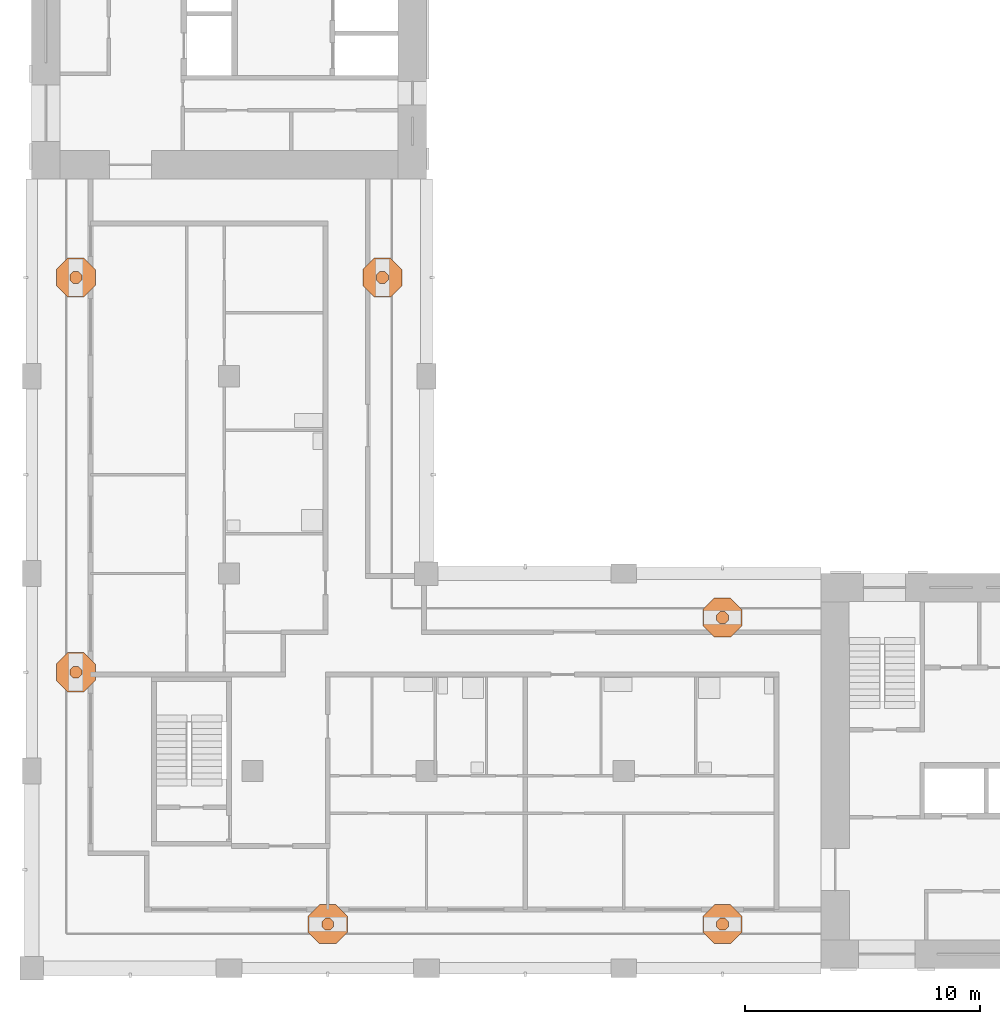
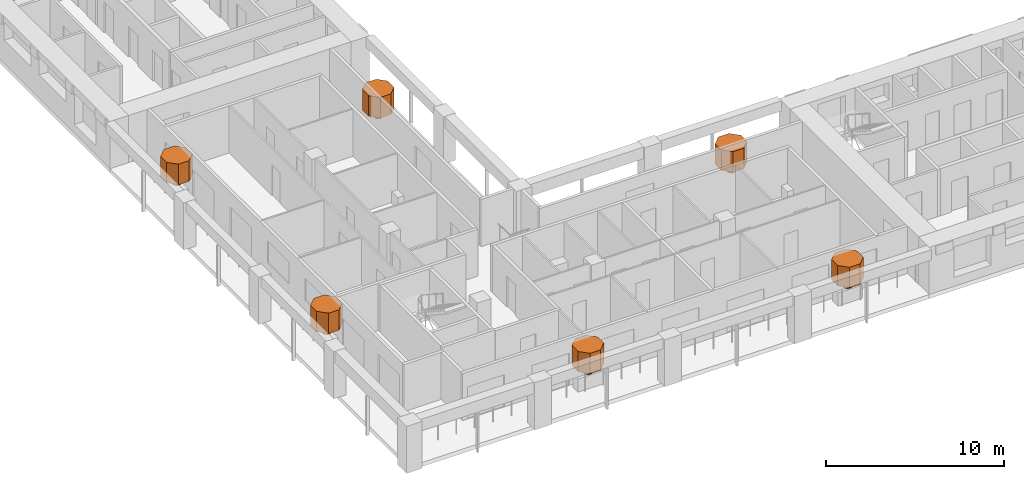
# One storey, part 11 of 11: 12 geographic elements.
"""IFC4 building model written with IfcOpenShell, lengths in metres."""

from ifc_helpers import new_model, si_unit, direction, frame, origin, place, context, subcontext, project, spatial, polyline, outline, extrude, material, element, save


model = new_model("IFC4")

# Units and contexts
model_context = context("Model", 3, precision=1e-05, world=origin(), true_north=direction((0.0, 1.0)))
body_context = subcontext(model_context, "Body", "Model", "MODEL_VIEW")
ifc_project = project(units=[si_unit("LENGTHUNIT", "METRE"), si_unit("AREAUNIT", "SQUARE_METRE"), si_unit("VOLUMEUNIT", "CUBIC_METRE"), si_unit("PLANEANGLEUNIT", "RADIAN"), si_unit("MASSUNIT", "GRAM", prefix="KILO")], contexts=[model_context])

# Site, building, storey
site_placement = place(None, origin())
site = spatial("IfcSite", under=ifc_project, at=site_placement, CompositionType="ELEMENT")
building_placement = place(site_placement, origin())
building = spatial("IfcBuilding", under=site, at=building_placement, Name="Vermilion Gate Residences", CompositionType="ELEMENT")
storey_placement = place(building_placement, frame((0.0, 0.0, 263.199951171875)))
storey = spatial("IfcBuildingStorey", under=building, at=storey_placement, Name="L69", CompositionType="ELEMENT", Elevation=263.199951171875)

# Geographic elements
ifc_material = material(Name="Foliage")
geographic_element_1_placement = place(storey_placement, frame((0.0, 0.0, 0.900146484375)))
element("IfcGeographicElement", 1, at=geographic_element_1_placement, inside=storey, material=ifc_material, Name="Tree (black pine)", ObjectType="TREE", PredefinedType="USERDEFINED", context=body_context, shape_type="SweptSolid", body=[
    extrude(outline(polyline([(21.254150390625, 10.380126953125), (21.105224609375, 10.529052734375), (20.894775390625, 10.529052734375), (20.745849609375, 10.380126953125), (20.745849609375, 10.169921875), (20.894775390625, 10.02099609375), (21.105224609375, 10.02099609375), (21.254150390625, 10.169921875), (21.254150390625, 10.380126953125)])), origin(), (0.0, 0.0, 1.0), 0.52001953125),
])
geographic_element_2_placement = place(storey_placement, frame((0.0, 0.0, 1.420166015625)))
element("IfcGeographicElement", 2, at=geographic_element_2_placement, inside=storey, material=ifc_material, Name="Tree crown (black pine)", ObjectType="TREE", PredefinedType="USERDEFINED", context=body_context, shape_type="SweptSolid", body=[
    extrude(outline(polyline([(21.83154296875, 10.619384765625), (21.344482421875, 11.1064453125), (20.655517578125, 11.1064453125), (20.16845703125, 10.619384765625), (20.16845703125, 9.9306640625), (20.655517578125, 9.443603515625), (21.344482421875, 9.443603515625), (21.83154296875, 9.9306640625), (21.83154296875, 10.619384765625)])), origin(), (0.0, 0.0, 1.0), 1.39990234375),
])
geographic_element_3_placement = place(storey_placement, frame((0.0, 0.0, 0.900146484375)))
element("IfcGeographicElement", 3, at=geographic_element_3_placement, inside=storey, material=ifc_material, Name="Tree (maple)", ObjectType="TREE", PredefinedType="USERDEFINED", context=body_context, shape_type="SweptSolid", body=[
    extrude(outline(polyline([(38.05419921875, 10.380126953125), (37.9052734375, 10.529052734375), (37.69482421875, 10.529052734375), (37.5458984375, 10.380126953125), (37.5458984375, 10.169921875), (37.69482421875, 10.02099609375), (37.9052734375, 10.02099609375), (38.05419921875, 10.169921875), (38.05419921875, 10.380126953125)])), origin(), (0.0, 0.0, 1.0), 0.52001953125),
])
geographic_element_4_placement = place(storey_placement, frame((0.0, 0.0, 1.420166015625)))
element("IfcGeographicElement", 4, at=geographic_element_4_placement, inside=storey, material=ifc_material, Name="Tree crown (maple)", ObjectType="TREE", PredefinedType="USERDEFINED", context=body_context, shape_type="SweptSolid", body=[
    extrude(outline(polyline([(38.631591796875, 10.619384765625), (38.144287109375, 11.1064453125), (37.45556640625, 11.1064453125), (36.968505859375, 10.619384765625), (36.968505859375, 9.9306640625), (37.45556640625, 9.443603515625), (38.144287109375, 9.443603515625), (38.631591796875, 9.9306640625), (38.631591796875, 10.619384765625)])), origin(), (0.0, 0.0, 1.0), 1.39990234375),
])
geographic_element_5_placement = place(storey_placement, frame((0.0, 0.0, 0.900146484375)))
element("IfcGeographicElement", 5, at=geographic_element_5_placement, inside=storey, material=ifc_material, Name="Tree (maple)", ObjectType="TREE", PredefinedType="USERDEFINED", context=body_context, shape_type="SweptSolid", body=[
    extrude(outline(polyline([(38.05419921875, 23.43017578125), (37.9052734375, 23.5791015625), (37.69482421875, 23.5791015625), (37.5458984375, 23.43017578125), (37.5458984375, 23.2197265625), (37.69482421875, 23.07080078125), (37.9052734375, 23.07080078125), (38.05419921875, 23.2197265625), (38.05419921875, 23.43017578125)])), origin(), (0.0, 0.0, 1.0), 0.52001953125),
])
geographic_element_6_placement = place(storey_placement, frame((0.0, 0.0, 1.420166015625)))
element("IfcGeographicElement", 6, at=geographic_element_6_placement, inside=storey, material=ifc_material, Name="Tree crown (maple)", ObjectType="TREE", PredefinedType="USERDEFINED", context=body_context, shape_type="SweptSolid", body=[
    extrude(outline(polyline([(38.631591796875, 23.66943359375), (38.144287109375, 24.156494140625), (37.45556640625, 24.156494140625), (36.968505859375, 23.66943359375), (36.968505859375, 22.980712890625), (37.45556640625, 22.493408203125), (38.144287109375, 22.493408203125), (38.631591796875, 22.980712890625), (38.631591796875, 23.66943359375)])), origin(), (0.0, 0.0, 1.0), 1.39990234375),
])
geographic_element_7_placement = place(storey_placement, frame((0.0, 0.0, 0.900146484375)))
element("IfcGeographicElement", 7, at=geographic_element_7_placement, inside=storey, material=ifc_material, Name="Tree (maple)", ObjectType="TREE", PredefinedType="USERDEFINED", context=body_context, shape_type="SweptSolid", body=[
    extrude(outline(polyline([(23.5791015625, 37.9052734375), (23.43017578125, 38.05419921875), (23.2197265625, 38.05419921875), (23.07080078125, 37.9052734375), (23.07080078125, 37.69482421875), (23.2197265625, 37.5458984375), (23.43017578125, 37.5458984375), (23.5791015625, 37.69482421875), (23.5791015625, 37.9052734375)])), origin(), (0.0, 0.0, 1.0), 0.52001953125),
])
geographic_element_8_placement = place(storey_placement, frame((0.0, 0.0, 1.420166015625)))
element("IfcGeographicElement", 8, at=geographic_element_8_placement, inside=storey, material=ifc_material, Name="Tree crown (maple)", ObjectType="TREE", PredefinedType="USERDEFINED", context=body_context, shape_type="SweptSolid", body=[
    extrude(outline(polyline([(24.156494140625, 38.144287109375), (23.66943359375, 38.631591796875), (22.980712890625, 38.631591796875), (22.493408203125, 38.144287109375), (22.493408203125, 37.45556640625), (22.980712890625, 36.968505859375), (23.66943359375, 36.968505859375), (24.156494140625, 37.45556640625), (24.156494140625, 38.144287109375)])), origin(), (0.0, 0.0, 1.0), 1.39990234375),
])
geographic_element_9_placement = place(storey_placement, frame((0.0, 0.0, 0.900146484375)))
element("IfcGeographicElement", 9, at=geographic_element_9_placement, inside=storey, material=ifc_material, Name="Tree (black pine)", ObjectType="TREE", PredefinedType="USERDEFINED", context=body_context, shape_type="SweptSolid", body=[
    extrude(outline(polyline([(10.529052734375, 21.105224609375), (10.380126953125, 21.254150390625), (10.169921875, 21.254150390625), (10.02099609375, 21.105224609375), (10.02099609375, 20.894775390625), (10.169921875, 20.745849609375), (10.380126953125, 20.745849609375), (10.529052734375, 20.894775390625), (10.529052734375, 21.105224609375)])), origin(), (0.0, 0.0, 1.0), 0.52001953125),
])
geographic_element_10_placement = place(storey_placement, frame((0.0, 0.0, 1.420166015625)))
element("IfcGeographicElement", 10, at=geographic_element_10_placement, inside=storey, material=ifc_material, Name="Tree crown (black pine)", ObjectType="TREE", PredefinedType="USERDEFINED", context=body_context, shape_type="SweptSolid", body=[
    extrude(outline(polyline([(11.1064453125, 21.344482421875), (10.619384765625, 21.83154296875), (9.9306640625, 21.83154296875), (9.443603515625, 21.344482421875), (9.443603515625, 20.655517578125), (9.9306640625, 20.16845703125), (10.619384765625, 20.16845703125), (11.1064453125, 20.655517578125), (11.1064453125, 21.344482421875)])), origin(), (0.0, 0.0, 1.0), 1.39990234375),
])
geographic_element_11_placement = place(storey_placement, frame((0.0, 0.0, 0.900146484375)))
element("IfcGeographicElement", 11, at=geographic_element_11_placement, inside=storey, material=ifc_material, Name="Tree (maple)", ObjectType="TREE", PredefinedType="USERDEFINED", context=body_context, shape_type="SweptSolid", body=[
    extrude(outline(polyline([(10.529052734375, 37.9052734375), (10.380126953125, 38.05419921875), (10.169921875, 38.05419921875), (10.02099609375, 37.9052734375), (10.02099609375, 37.69482421875), (10.169921875, 37.5458984375), (10.380126953125, 37.5458984375), (10.529052734375, 37.69482421875), (10.529052734375, 37.9052734375)])), origin(), (0.0, 0.0, 1.0), 0.52001953125),
])
geographic_element_12_placement = place(storey_placement, frame((0.0, 0.0, 1.420166015625)))
element("IfcGeographicElement", 12, at=geographic_element_12_placement, inside=storey, material=ifc_material, Name="Tree crown (maple)", ObjectType="TREE", PredefinedType="USERDEFINED", context=body_context, shape_type="SweptSolid", body=[
    extrude(outline(polyline([(11.1064453125, 38.144287109375), (10.619384765625, 38.631591796875), (9.9306640625, 38.631591796875), (9.443603515625, 38.144287109375), (9.443603515625, 37.45556640625), (9.9306640625, 36.968505859375), (10.619384765625, 36.968505859375), (11.1064453125, 37.45556640625), (11.1064453125, 38.144287109375)])), origin(), (0.0, 0.0, 1.0), 1.39990234375),
])

save(model, "model.ifc")
